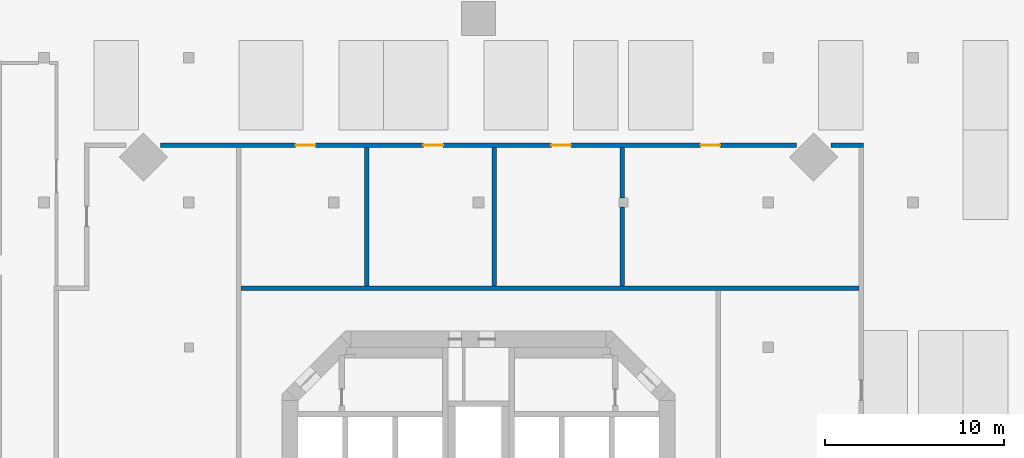
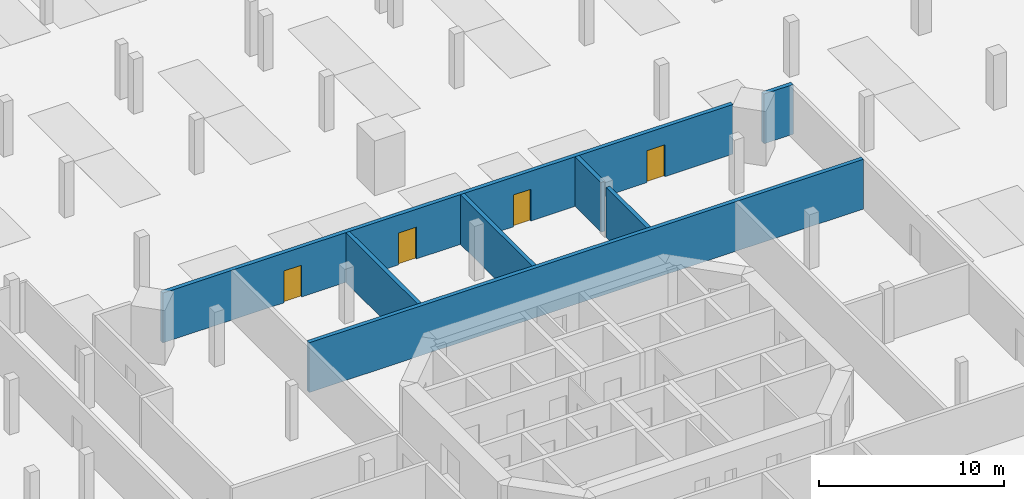
# One storey, part 10 of 14: 7 walls, 4 doors, 4 openings.
"""IFC4 building model written with IfcOpenShell, lengths in metres."""

from ifc_helpers import new_model, si_unit, direction, frame, frame_2d, origin, place, context, subcontext, project, spatial, rectangle, extrude, material, layer, layer_set, type_object, element, fill, save


model = new_model("IFC4")

# Units and contexts
model_context = context("Model", 3, precision=1e-05, world=origin(), true_north=direction((0.0, 1.0)))
body_context = subcontext(model_context, "Body", "Model", "MODEL_VIEW")
ifc_project = project(units=[si_unit("LENGTHUNIT", "METRE"), si_unit("AREAUNIT", "SQUARE_METRE"), si_unit("VOLUMEUNIT", "CUBIC_METRE"), si_unit("PLANEANGLEUNIT", "RADIAN"), si_unit("MASSUNIT", "GRAM", prefix="KILO")], contexts=[model_context])

# Site, building, storey
site_placement = place(None, origin())
site = spatial("IfcSite", under=ifc_project, at=site_placement, CompositionType="ELEMENT")
building_placement = place(site_placement, origin())
building = spatial("IfcBuilding", under=site, at=building_placement, Name="Torre Triforio", CompositionType="ELEMENT")
storey_placement = place(building_placement, frame((0.0, 0.0, -7.199951171875)))
storey = spatial("IfcBuildingStorey", under=building, at=storey_placement, Name="B2", CompositionType="ELEMENT", Elevation=-7.199951171875)

# Walls
ifc_material_1 = material(Name="Masonry block", Category="masonry")
ifc_layer = layer(ifc_material_1, 0.25)
ifc_layer_set = layer_set([ifc_layer], Name="Masonry block")
wall_type = type_object("IfcWallType", Name="Plant room wall 250 EI 120", PredefinedType="PARTITIONING", material=ifc_layer_set)
wall_1_placement = place(storey_placement, frame((-6.25341796875, 11.52490234375, 0.0), z_axis=(0.0, 0.0, 1.0), x_axis=(0.0, 1.0, 0.0)))
element("IfcWall", 1, at=wall_1_placement, inside=storey, type_object=wall_type, Name="Plant room wall B2 020", PredefinedType="PARTITIONING", context=body_context, shape_type="SweptSolid", body=[
    extrude(rectangle(XDim=7.75, YDim=0.25, at=frame_2d((3.875, 0.0))), origin(), (0.0, 0.0, 1.0), 3.280029296875),
])
wall_2_placement = place(storey_placement, frame((-13.27490234375, 11.39990234375, 0.0), z_axis=(0.0, 0.0, 1.0), x_axis=(1.0, 0.0, 0.0)))
element("IfcWall", 2, at=wall_2_placement, inside=storey, type_object=wall_type, Name="Plant room wall B2 021", PredefinedType="PARTITIONING", context=body_context, shape_type="SweptSolid", body=[
    extrude(rectangle(XDim=34.5498046875, YDim=0.25, at=frame_2d((17.27490234375, 0.0))), origin(), (0.0, 0.0, 1.0), 3.280029296875),
])
wall_3_placement = place(storey_placement, frame((0.893310546875, 11.52490234375, 0.0), z_axis=(0.0, 0.0, 1.0), x_axis=(0.0, 1.0, 0.0)))
element("IfcWall", 3, at=wall_3_placement, inside=storey, type_object=wall_type, Name="Plant room wall B2 022", PredefinedType="PARTITIONING", context=body_context, shape_type="SweptSolid", body=[
    extrude(rectangle(XDim=7.75, YDim=0.25, at=frame_2d((3.875, 0.0))), origin(), (0.0, 0.0, 1.0), 3.280029296875),
])
wall_4_placement = place(storey_placement, frame((8.0400390625, 11.52490234375, 0.0), z_axis=(0.0, 0.0, 1.0), x_axis=(0.0, 1.0, 0.0)))
element("IfcWall", 4, at=wall_4_placement, inside=storey, type_object=wall_type, Name="Plant room wall B2 023", PredefinedType="PARTITIONING", context=body_context, shape_type="SweptSolid", body=[
    extrude(rectangle(XDim=4.4150390625, YDim=0.25, at=frame_2d((2.20751953125, 0.0))), origin(), (0.0, 0.0, 1.0), 3.280029296875),
])
wall_5_placement = place(storey_placement, frame((8.0400390625, 16.4599609375, 0.0), z_axis=(0.0, 0.0, 1.0), x_axis=(0.0, 1.0, 0.0)))
element("IfcWall", 5, at=wall_5_placement, inside=storey, type_object=wall_type, Name="Plant room wall B2 024", PredefinedType="PARTITIONING", context=body_context, shape_type="SweptSolid", body=[
    extrude(rectangle(XDim=2.81494140625, YDim=0.25, at=frame_2d((1.407470703125, 0.0))), origin(), (0.0, 0.0, 1.0), 3.280029296875),
])
wall_6_placement = place(storey_placement, frame((19.6982421875, 19.39990234375, 0.0), z_axis=(0.0, 0.0, 1.0), x_axis=(1.0, 0.0, 0.0)))
element("IfcWall", 6, at=wall_6_placement, inside=storey, type_object=wall_type, Name="Plant room wall B2 025", PredefinedType="PARTITIONING", context=body_context, shape_type="SweptSolid", body=[
    extrude(rectangle(XDim=1.82666015625, YDim=0.25, at=frame_2d((0.913330078125, 0.0))), origin(), (0.0, 0.0, 1.0), 3.280029296875),
])

# Wall, openings, doors
wall_7_placement = place(storey_placement, frame((-17.7783203125, 19.39990234375, 0.0), z_axis=(0.0, 0.0, 1.0), x_axis=(1.0, 0.0, 0.0)))
wall_7 = element("IfcWall", 7, at=wall_7_placement, inside=storey, type_object=wall_type, Name="Plant room wall B2 043", PredefinedType="PARTITIONING", context=body_context, shape_type="SweptSolid", body=[
    extrude(rectangle(XDim=35.556640625, YDim=0.25, at=frame_2d((17.7783203125, 0.0))), origin(), (0.0, 0.0, 1.0), 3.280029296875),
])
opening_1_placement = place(wall_7_placement, frame((7.55322265625, 0.0, 0.0)))
opening_1 = element("IfcOpeningElement", 8, at=opening_1_placement, cuts=wall_7, Name="Opening BS2-05", PredefinedType="OPENING", context=body_context, shape_type="SweptSolid", body=[
    extrude(rectangle(XDim=1.10009765625, YDim=2.10009765625, at=frame_2d((0.550048828125, 1.050048828125))), frame((0.0, 0.135009765625, 0.0), z_axis=(0.0, -1.0, 0.0), x_axis=(1.0, 0.0, 0.0)), (0.0, 0.0, 1.0), 0.27001953125),
])
opening_2_placement = place(wall_7_placement, frame((14.699951171875, 0.0, 0.0)))
opening_2 = element("IfcOpeningElement", 9, at=opening_2_placement, cuts=wall_7, Name="Opening BS2-06", PredefinedType="OPENING", context=body_context, shape_type="SweptSolid", body=[
    extrude(rectangle(XDim=1.10009765625, YDim=2.10009765625, at=frame_2d((0.550048828125, 1.050048828125))), frame((0.0, 0.135009765625, 0.0), z_axis=(0.0, -1.0, 0.0), x_axis=(1.0, 0.0, 0.0)), (0.0, 0.0, 1.0), 0.27001953125),
])
opening_3_placement = place(wall_7_placement, frame((21.8466796875, 0.0, 0.0)))
opening_3 = element("IfcOpeningElement", 10, at=opening_3_placement, cuts=wall_7, Name="Opening BS2-07", PredefinedType="OPENING", context=body_context, shape_type="SweptSolid", body=[
    extrude(rectangle(XDim=1.10009765625, YDim=2.10009765625, at=frame_2d((0.550048828125, 1.050048828125))), frame((0.0, 0.135009765625, 0.0), z_axis=(0.0, -1.0, 0.0), x_axis=(1.0, 0.0, 0.0)), (0.0, 0.0, 1.0), 0.27001953125),
])
opening_4_placement = place(wall_7_placement, frame((30.193359375, 0.0, 0.0)))
opening_4 = element("IfcOpeningElement", 11, at=opening_4_placement, cuts=wall_7, Name="Opening BS2-08", PredefinedType="OPENING", context=body_context, shape_type="SweptSolid", body=[
    extrude(rectangle(XDim=1.10009765625, YDim=2.10009765625, at=frame_2d((0.550048828125, 1.050048828125))), frame((0.0, 0.135009765625, 0.0), z_axis=(0.0, -1.0, 0.0), x_axis=(1.0, 0.0, 0.0)), (0.0, 0.0, 1.0), 0.27001953125),
])
ifc_material_2 = material(Name="Hollow metal fire door leaf")
door_type = type_object("IfcDoorType", Name="Plant room door 1100 x 2100 EI 60", OperationType="NOTDEFINED", PredefinedType="DOOR", material=ifc_material_2)
door_1_placement = place(opening_1_placement, origin())
door_1 = element("IfcDoor", 12, at=door_1_placement, inside=storey, type_object=door_type, Name="Door BS2-05", OperationType="SINGLE_SWING_LEFT", OverallHeight=2.10009765625, OverallWidth=1.10009765625, PredefinedType="DOOR", context=body_context, shape_type="SweptSolid", body=[
    extrude(rectangle(XDim=1.10009765625, YDim=2.10009765625, at=frame_2d((0.550048828125, 1.050048828125))), frame((0.0, 0.02490234375, 0.0), z_axis=(0.0, -1.0, 0.0), x_axis=(1.0, 0.0, 0.0)), (0.0, 0.0, 1.0), 0.050048828125),
])
fill(opening_1, door_1)
door_2_placement = place(opening_2_placement, origin())
door_2 = element("IfcDoor", 13, at=door_2_placement, inside=storey, type_object=door_type, Name="Door BS2-06", OperationType="SINGLE_SWING_LEFT", OverallHeight=2.10009765625, OverallWidth=1.10009765625, PredefinedType="DOOR", context=body_context, shape_type="SweptSolid", body=[
    extrude(rectangle(XDim=1.10009765625, YDim=2.10009765625, at=frame_2d((0.550048828125, 1.050048828125))), frame((0.0, 0.02490234375, 0.0), z_axis=(0.0, -1.0, 0.0), x_axis=(1.0, 0.0, 0.0)), (0.0, 0.0, 1.0), 0.050048828125),
])
fill(opening_2, door_2)
door_3_placement = place(opening_3_placement, origin())
door_3 = element("IfcDoor", 14, at=door_3_placement, inside=storey, type_object=door_type, Name="Door BS2-07", OperationType="SINGLE_SWING_LEFT", OverallHeight=2.10009765625, OverallWidth=1.10009765625, PredefinedType="DOOR", context=body_context, shape_type="SweptSolid", body=[
    extrude(rectangle(XDim=1.10009765625, YDim=2.10009765625, at=frame_2d((0.550048828125, 1.050048828125))), frame((0.0, 0.02490234375, 0.0), z_axis=(0.0, -1.0, 0.0), x_axis=(1.0, 0.0, 0.0)), (0.0, 0.0, 1.0), 0.050048828125),
])
fill(opening_3, door_3)
door_4_placement = place(opening_4_placement, origin())
door_4 = element("IfcDoor", 15, at=door_4_placement, inside=storey, type_object=door_type, Name="Door BS2-08", OperationType="SINGLE_SWING_LEFT", OverallHeight=2.10009765625, OverallWidth=1.10009765625, PredefinedType="DOOR", context=body_context, shape_type="SweptSolid", body=[
    extrude(rectangle(XDim=1.10009765625, YDim=2.10009765625, at=frame_2d((0.550048828125, 1.050048828125))), frame((0.0, 0.02490234375, 0.0), z_axis=(0.0, -1.0, 0.0), x_axis=(1.0, 0.0, 0.0)), (0.0, 0.0, 1.0), 0.050048828125),
])
fill(opening_4, door_4)

save(model, "model.ifc")
